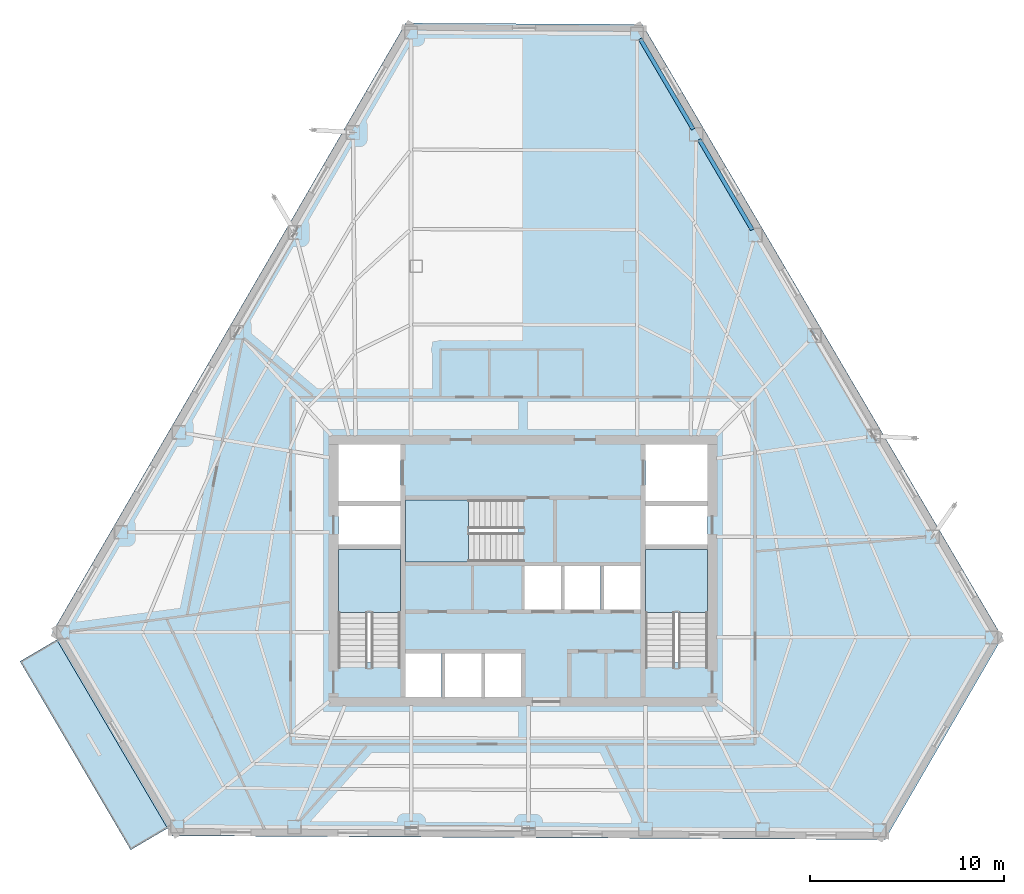
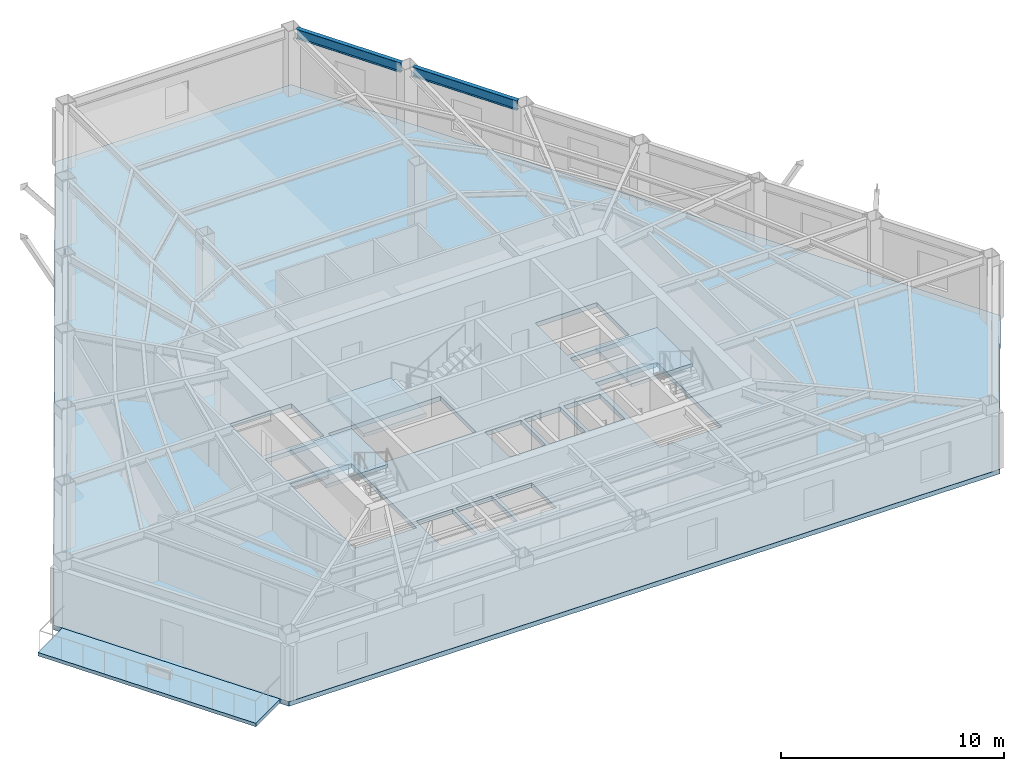
# One storey, part 3 of 13: 5 slabs, 2 beams, 3 elements without a shape of their own.
"""IFC4 building model written with IfcOpenShell, lengths in metres."""

from ifc_helpers import new_model, si_unit, direction, frame, origin, origin_2d, place, context, subcontext, project, spatial, polyline, i_section, outline, extrude, material, layer, layer_set, material_profile, profile_set, type_object, element, aggregate, save


model = new_model("IFC4")

# Units and contexts
model_context = context("Model", 3, precision=1e-05, world=origin(), true_north=direction((0.0, 1.0)))
body_context = subcontext(model_context, "Body", "Model", "MODEL_VIEW")
ifc_project = project(units=[si_unit("LENGTHUNIT", "METRE"), si_unit("AREAUNIT", "SQUARE_METRE"), si_unit("VOLUMEUNIT", "CUBIC_METRE"), si_unit("PLANEANGLEUNIT", "RADIAN"), si_unit("MASSUNIT", "GRAM", prefix="KILO")], contexts=[model_context])

# Site, building, storey
site_placement = place(None, origin())
site = spatial("IfcSite", under=ifc_project, at=site_placement, CompositionType="ELEMENT")
building_placement = place(site_placement, origin())
building = spatial("IfcBuilding", under=site, at=building_placement, Name="Kavelnor Concourse Tower", CompositionType="ELEMENT")
storey_placement = place(building_placement, frame((0.0, 0.0, 124.0)))
storey = spatial("IfcBuildingStorey", under=building, at=storey_placement, Name="L31", CompositionType="ELEMENT", Elevation=124.0)

# Beams
ifc_material_1 = material(Name="Steel Grade 350", Category="steel")
ifc_material_profile = material_profile(ifc_material_1, i_section(OverallWidth=0.208984375, OverallDepth=0.532958984375, WebThickness=0.01025390625, FlangeThickness=0.015625, at=origin_2d()), Name="530UB92")
ifc_profile_set = profile_set([ifc_material_profile], Name="Steel Grade 350")
beam_type = type_object("IfcBeamType", Name="BM-SPANDREL-Z2", PredefinedType="SPANDREL", material=ifc_profile_set)
for number, where, z_axis, x_axis, name in (
    (1, (49.8251953125, 33.6787109375, 3.33349609375), (-0.506337106801, 0.862335627396, 0.0), (-0.862335627396, -0.506337106801, 0.0), "L31 Perimeter Tube Spandrel Beam F2-B4"),
    (2, (46.779052734375, 38.86669921875, 3.33349609375), (-0.506337106801, 0.862335627396, 0.0), (-0.862335627396, -0.506337106801, 0.0), "L31 Perimeter Tube Spandrel Beam F2-B5"),
):
    element("IfcBeam", number, at=place(storey_placement, frame(where, z_axis=z_axis, x_axis=x_axis)), inside=storey, type_object=beam_type, Name=name, PredefinedType="SPANDREL", context=body_context, shape_type="SweptSolid", body=[
        extrude(i_section(OverallWidth=0.208984375, OverallDepth=0.532958984375, WebThickness=0.01025390625, FlangeThickness=0.015625, at=origin_2d()), origin(), (0.0, 0.0, 1.0), 5.406005859375),
    ])

# Stair, slab
ifc_material_2 = material(Name="Concrete C40/50", Category="concrete")
stair_type = type_object("IfcStairType", Name="STR-CORE-1500", PredefinedType="HALF_TURN_STAIR", material=ifc_material_2)
stair_1_placement = place(storey_placement, origin())
stair_1 = element("IfcStair", 3, at=stair_1_placement, inside=storey, type_object=stair_type, Name="L31 ST1", PredefinedType="HALF_TURN_STAIR")
ifc_layer_1 = layer(ifc_material_2, 0.199951171875, Name="Concrete C40/50")
ifc_layer_set_1 = layer_set([ifc_layer_1], Name="Concrete C40/50")
slab_type_1 = type_object("IfcSlabType", Name="SLB-LANDING-200", PredefinedType="LANDING", material=ifc_layer_set_1)
slab_1_placement = place(storey_placement, frame((0.0, 0.0, 1.72509765625)))
slab_1 = element("IfcSlab", 4, at=slab_1_placement, type_object=slab_type_1, Name="ST1 landing 1", PredefinedType="LANDING", context=body_context, shape_type="SweptSolid", body=[
    extrude(outline(polyline([(31.679931640625, 13.949951171875), (31.679931640625, 17.199951171875), (28.47998046875, 17.199951171875), (28.47998046875, 13.949951171875), (31.679931640625, 13.949951171875)])), origin(), (0.0, 0.0, 1.0), 0.199951171875),
])
aggregate(stair_1, [slab_1])

stair_2_placement = place(storey_placement, origin())
stair_2 = element("IfcStair", 5, at=stair_2_placement, inside=storey, type_object=stair_type, Name="L31 ST2", PredefinedType="HALF_TURN_STAIR")
slab_2_placement = place(storey_placement, frame((0.0, 0.0, 1.72509765625)))
slab_2 = element("IfcSlab", 6, at=slab_2_placement, type_object=slab_type_1, Name="ST2 landing 1", PredefinedType="LANDING", context=body_context, shape_type="SweptSolid", body=[
    extrude(outline(polyline([(47.52001953125, 13.949951171875), (47.52001953125, 17.199951171875), (44.320068359375, 17.199951171875), (44.320068359375, 13.949951171875), (47.52001953125, 13.949951171875)])), origin(), (0.0, 0.0, 1.0), 0.199951171875),
])
aggregate(stair_2, [slab_2])

stair_3_placement = place(storey_placement, origin())
stair_3 = element("IfcStair", 7, at=stair_3_placement, inside=storey, type_object=stair_type, Name="L31 ST3", PredefinedType="HALF_TURN_STAIR")
slab_3_placement = place(storey_placement, frame((0.0, 0.0, 1.72509765625)))
slab_3 = element("IfcSlab", 8, at=slab_3_placement, type_object=slab_type_1, Name="ST3 landing 1", PredefinedType="LANDING", context=body_context, shape_type="SweptSolid", body=[
    extrude(outline(polyline([(35.18994140625, 19.760009765625), (31.93994140625, 19.760009765625), (31.93994140625, 16.56005859375), (35.18994140625, 16.56005859375), (35.18994140625, 19.760009765625)])), origin(), (0.0, 0.0, 1.0), 0.199951171875),
])
aggregate(stair_3, [slab_3])

# Slabs
ifc_layer_2 = layer(ifc_material_2, 0.25, Name="Concrete C40/50")
ifc_layer_set_2 = layer_set([ifc_layer_2], Name="Concrete C40/50")
slab_type_2 = type_object("IfcSlabType", Name="SLB-OFFICE-250", PredefinedType="FLOOR", material=ifc_layer_set_2)
slab_4_placement = place(storey_placement, frame((0.0, 0.0, -0.25)))
element("IfcSlab", 9, at=slab_4_placement, inside=storey, type_object=slab_type_2, Name="L31 Composite Structural Floor Slab", PredefinedType="FLOOR", context=body_context, shape_type="SweptSolid", body=[
    extrude(outline(polyline([(44.1630859375, 44.27001953125), (31.9501953125, 44.335205078125), (13.73388671875, 12.927978515625), (19.89697265625, 2.431884765625), (56.670166015625, 2.235107421875), (62.719970703125, 12.665771484375), (44.1630859375, 44.27001953125)]), holes=[polyline([(28.47998046875, 11.3798828125), (31.679931640625, 11.3798828125), (31.679931640625, 17.199951171875), (28.47998046875, 17.199951171875), (28.47998046875, 11.3798828125)]), polyline([(44.320068359375, 11.3798828125), (47.52001953125, 11.3798828125), (47.52001953125, 17.199951171875), (44.320068359375, 17.199951171875), (44.320068359375, 11.3798828125)]), polyline([(31.93994140625, 16.56005859375), (37.760009765625, 16.56005859375), (37.760009765625, 19.760009765625), (31.93994140625, 19.760009765625), (31.93994140625, 16.56005859375)]), polyline([(28.47998046875, 19.699951171875), (31.679931640625, 19.699951171875), (31.679931640625, 22.60009765625), (28.47998046875, 22.60009765625), (28.47998046875, 19.699951171875)]), polyline([(44.320068359375, 19.699951171875), (47.52001953125, 19.699951171875), (47.52001953125, 22.60009765625), (44.320068359375, 22.60009765625), (44.320068359375, 19.699951171875)]), polyline([(38.090087890625, 14.10009765625), (39.9599609375, 14.10009765625), (39.9599609375, 16.340087890625), (38.090087890625, 16.340087890625), (38.090087890625, 14.10009765625)]), polyline([(40.139892578125, 14.10009765625), (42.010009765625, 14.10009765625), (42.010009765625, 16.340087890625), (40.139892578125, 16.340087890625), (40.139892578125, 14.10009765625)]), polyline([(42.18994140625, 14.10009765625), (44.06005859375, 14.10009765625), (44.06005859375, 16.340087890625), (42.18994140625, 16.340087890625), (42.18994140625, 14.10009765625)]), polyline([(31.93994140625, 9.60009765625), (33.81005859375, 9.60009765625), (33.81005859375, 11.840087890625), (31.93994140625, 11.840087890625), (31.93994140625, 9.60009765625)]), polyline([(33.989990234375, 9.60009765625), (35.860107421875, 9.60009765625), (35.860107421875, 11.840087890625), (33.989990234375, 11.840087890625), (33.989990234375, 9.60009765625)]), polyline([(36.0400390625, 9.60009765625), (37.909912109375, 9.60009765625), (37.909912109375, 11.840087890625), (36.0400390625, 11.840087890625), (36.0400390625, 9.60009765625)]), polyline([(28.47998046875, 17.4599609375), (31.679931640625, 17.4599609375), (31.679931640625, 19.43994140625), (28.47998046875, 19.43994140625), (28.47998046875, 17.4599609375)]), polyline([(44.320068359375, 17.4599609375), (47.52001953125, 17.4599609375), (47.52001953125, 19.43994140625), (44.320068359375, 19.43994140625), (44.320068359375, 17.4599609375)])]), origin(), (0.0, 0.0, 1.0), 0.25),
])
ifc_layer_3 = layer(ifc_material_2, 0.18994140625, Name="Concrete C40/50")
ifc_layer_set_3 = layer_set([ifc_layer_3], Name="Concrete C40/50")
slab_type_3 = type_object("IfcSlabType", Name="SLB-TERRACE-190", PredefinedType="FLOOR", material=ifc_layer_set_3)
slab_5_placement = place(storey_placement, frame((0.0, 0.0, -0.18994140625)))
element("IfcSlab", 10, at=slab_5_placement, inside=storey, type_object=slab_type_3, Name="L31 Spiralling Sky Terrace Slab", PredefinedType="FLOOR", context=body_context, shape_type="SweptSolid", body=[
    extrude(outline(polyline([(17.77197265625, 1.705810546875), (12.064697265625, 11.42578125), (13.9619140625, 12.539794921875), (19.6689453125, 2.81982421875), (17.77197265625, 1.705810546875)])), origin(), (0.0, 0.0, 1.0), 0.18994140625),
])

save(model, "model.ifc")
